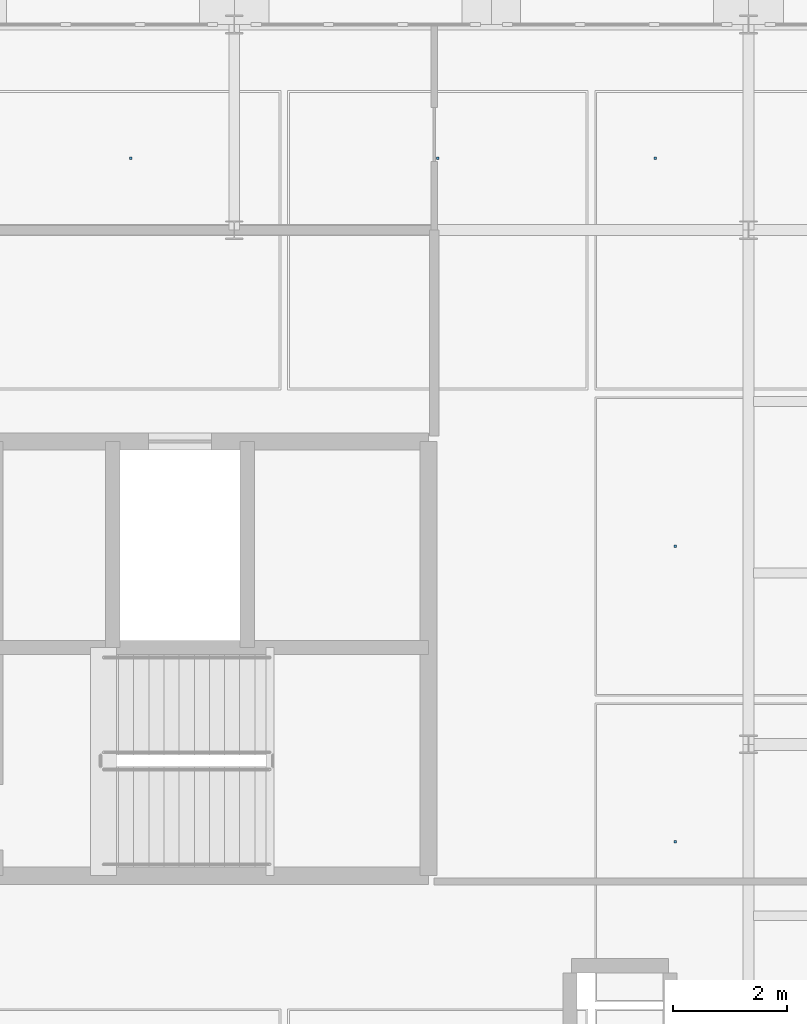
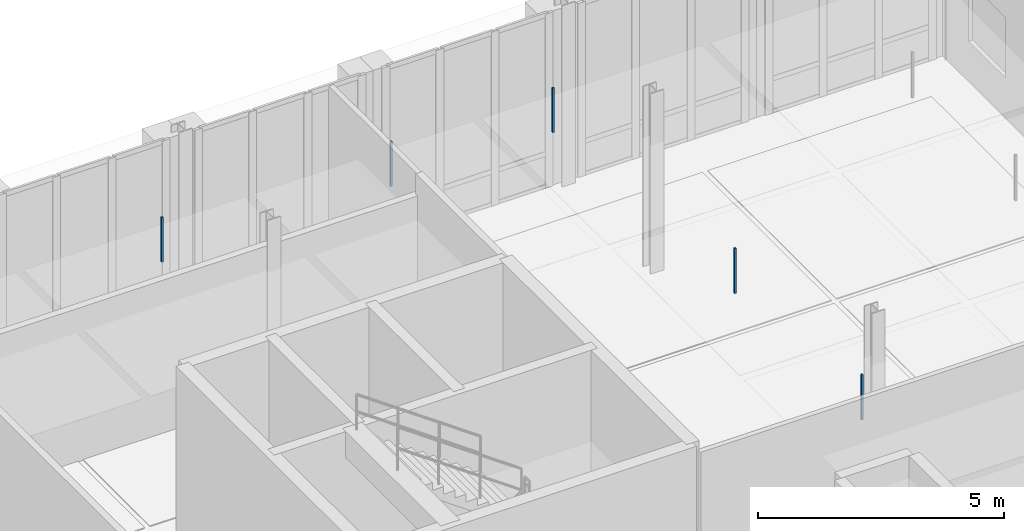
# One storey, part 76 of 89: 5 discrete accessories.
"""IFC4 building model written with IfcOpenShell, lengths in metres."""

import ifcopenshell
import ifcopenshell.guid

model = None  # the IFC model being written
_history = None  # IfcOwnerHistory: only IFC2X3 demands one
_inside = {}  # id of a spatial element -> (the spatial element, [elements in it])
_under = {}  # id of a project, library or spatial element -> (it, [spatial elements below it])
_declared = {}  # id of a project -> (the project, [libraries it declares])
_typed = {}  # id of a type object -> (the type object, [elements of that type])
_made_of = {}  # id of a material, layer set ... -> (it, [elements and type objects made of it])


def new_model(schema):
    """Start an empty IFC model of exactly this schema.

    Asked for "IFC4X3", IfcOpenShell would pick the latest addendum, in which some entities
    have other attributes; the version numbers below select the first issue.
    IFC2X3 requires an IfcOwnerHistory on every rooted entity: one is made here for all.
    """
    global model, _history
    if schema == "IFC4X3":
        model = ifcopenshell.file(schema_version=(4, 3, 0, 0))
    else:
        model = ifcopenshell.file(schema=schema)
    _inside.clear()
    _under.clear()
    _declared.clear()
    _typed.clear()
    _made_of.clear()
    _history = None
    if model.schema == "IFC2X3":
        org = make("IfcOrganization", Name="unknown")
        user = make(
            "IfcPersonAndOrganization",
            ThePerson=make("IfcPerson", FamilyName="unknown"),
            TheOrganization=org,
        )
        app = make(
            "IfcApplication",
            ApplicationDeveloper=org,
            Version="unknown",
            ApplicationFullName="unknown",
            ApplicationIdentifier="unknown",
        )
        _history = make(
            "IfcOwnerHistory",
            OwningUser=user,
            OwningApplication=app,
            ChangeAction="ADDED",
            CreationDate=0,
        )
    return model


def make(cls, **values):
    """One entity of the class cls with the attributes given. An attribute that is None is left unset."""
    return model.create_entity(
        cls, **{name: value for name, value in values.items() if value is not None}
    )


def rooted(cls, **values):
    """An entity with a GlobalId (a new one), such as an element, a storey or a relation."""
    return make(cls, GlobalId=ifcopenshell.guid.new(), OwnerHistory=_history, **values)


def si_unit(unit_type, name, prefix=None):
    """IfcSIUnit, for example si_unit("LENGTHUNIT", "METRE", prefix="MILLI")."""
    return make("IfcSIUnit", UnitType=unit_type, Prefix=prefix, Name=name)


def assignment(units):
    """IfcUnitAssignment: the units of a project."""
    return None if units is None else make("IfcUnitAssignment", Units=units)


def point(xyz):
    """IfcCartesianPoint."""
    return None if xyz is None else make("IfcCartesianPoint", Coordinates=xyz)


def direction(xyz):
    """IfcDirection."""
    return None if xyz is None else make("IfcDirection", DirectionRatios=xyz)


def frame(location, z_axis=None, x_axis=None):
    """IfcAxis2Placement3D, a coordinate frame: its origin and axes. An axis left out is left unset."""
    return make(
        "IfcAxis2Placement3D",
        Location=point(location),
        Axis=direction(z_axis),
        RefDirection=direction(x_axis),
    )


def frame_2d(location, x_axis=None):
    """IfcAxis2Placement2D, a coordinate frame in the plane: its origin and x axis."""
    return make(
        "IfcAxis2Placement2D", Location=point(location), RefDirection=direction(x_axis)
    )


def origin():
    """The frame at (0, 0, 0) with its axes left unset."""
    return frame((0.0, 0.0, 0.0))


def origin_2d():
    """The frame at (0, 0) in the plane with its x axis left unset."""
    return frame_2d((0.0, 0.0))


def place(relative_to, where):
    """IfcLocalPlacement: puts the frame where relative to a parent placement (None: the world)."""
    return make(
        "IfcLocalPlacement", PlacementRelTo=relative_to, RelativePlacement=where
    )


def context(
    kind, dimensions, precision=None, world=None, true_north=None, identifier=None
):
    """IfcGeometricRepresentationContext, for example the 3D "Model" context."""
    return make(
        "IfcGeometricRepresentationContext",
        ContextIdentifier=identifier,
        ContextType=kind,
        CoordinateSpaceDimension=dimensions,
        Precision=precision,
        WorldCoordinateSystem=world,
        TrueNorth=true_north,
    )


def subcontext(parent, identifier, kind, view, scale=None):
    """IfcGeometricRepresentationSubContext, for example "Body" below "Model"."""
    return make(
        "IfcGeometricRepresentationSubContext",
        ContextIdentifier=identifier,
        ContextType=kind,
        ParentContext=parent,
        TargetScale=scale,
        TargetView=view,
    )


def project(units=None, contexts=None):
    """IfcProject with its units and contexts."""
    return rooted(
        "IfcProject",
        Name="project",
        RepresentationContexts=contexts,
        UnitsInContext=assignment(units),
    )


def spatial(cls, under=None, at=None, **own):
    """A site, building, storey or space (cls), placed at a placement, below another one or the project."""
    s = rooted(cls, ObjectPlacement=at, **own)
    if under is not None:
        _under.setdefault(under.id(), (under, []))[1].append(s)
    return s


def profile(cls, at=None, kind="AREA", **sizes):
    """A parametric profile (cls). Its sizes go by their IFC names, for example OverallWidth=200.0."""
    return make(cls, ProfileType=kind, Position=at, **sizes)


def rectangle(**sizes):
    """IfcRectangleProfileDef."""
    return profile("IfcRectangleProfileDef", **sizes)


def extrude(swept, where, along, depth):
    """IfcExtrudedAreaSolid: the profile swept, set in the frame where, extruded along a direction by depth."""
    return make(
        "IfcExtrudedAreaSolid",
        SweptArea=swept,
        Position=where,
        ExtrudedDirection=direction(along),
        Depth=depth,
    )


def shape(context_of_items, identifier, shape_type, items):
    """IfcShapeRepresentation: the items that make up one representation, for example the "Body"."""
    return make(
        "IfcShapeRepresentation",
        ContextOfItems=context_of_items,
        RepresentationIdentifier=identifier,
        RepresentationType=shape_type,
        Items=items,
    )


def material(Name=None, Category=None):
    """IfcMaterial."""
    return make("IfcMaterial", Name=Name, Category=Category)


def made_of(thing, what):
    """Note that an element or type object is made of a material, layer set ...; save() writes the relation."""
    if what is not None:
        _made_of.setdefault(what.id(), (what, []))[1].append(thing)
    return thing


def type_object(cls, material=None, **own):
    """A type object (cls), such as IfcWallType, which elements share."""
    return made_of(rooted(cls, **own), material)


def element(
    cls,
    number,
    at=None,
    inside=None,
    cuts=None,
    type_object=None,
    material=None,
    context=None,
    identifier="Body",
    shape_type=None,
    held_by="IfcProductDefinitionShape",
    body=None,
    shapes=None,
    **own,
):
    """One element of the class cls, such as IfcWall. Its Tag is "e" and its number.

    at: its placement. inside: the storey or other place that contains it. cuts: it is an
    opening in that element (IfcRelVoidsElement). A single representation is given by context,
    identifier, shape_type and body (its items); several are given by shapes. held_by: the class
    of the entity that holds the representations. save() writes the other relations.
    """
    e = rooted(cls, Tag="e%d" % number, ObjectPlacement=at, **own)
    if body is not None:
        shapes = [shape(context, identifier, shape_type, body)]
    if shapes is not None:
        e.Representation = make(held_by, Representations=shapes)
    if inside is not None:
        _inside.setdefault(inside.id(), (inside, []))[1].append(e)
    if cuts is not None:
        rooted(
            "IfcRelVoidsElement", RelatingBuildingElement=cuts, RelatedOpeningElement=e
        )
    if type_object is not None:
        _typed.setdefault(type_object.id(), (type_object, []))[1].append(e)
    return made_of(e, material)


def aggregate(whole, parts):
    """IfcRelAggregates: a whole, such as a stair, and the parts it consists of."""
    return rooted("IfcRelAggregates", RelatingObject=whole, RelatedObjects=parts)


def save(model, path):
    """Write the relations noted so far, then the file.

    IfcRelAggregates (storeys below a building ...), IfcRelContainedInSpatialStructure (elements
    in a storey), IfcRelDefinesByType, IfcRelAssociatesMaterial and IfcRelDeclares: one each for
    every whole, place, type object, material and project.
    """
    for whole, parts in _under.values():
        aggregate(whole, parts)
    for where, things in _inside.values():
        rooted(
            "IfcRelContainedInSpatialStructure",
            RelatedElements=things,
            RelatingStructure=where,
        )
    for kind, things in _typed.values():
        rooted("IfcRelDefinesByType", RelatedObjects=things, RelatingType=kind)
    for what, things in _made_of.values():
        rooted("IfcRelAssociatesMaterial", RelatedObjects=things, RelatingMaterial=what)
    for by, libraries in _declared.values():
        rooted("IfcRelDeclares", RelatingContext=by, RelatedDefinitions=libraries)
    model.write(path)


model = new_model("IFC4")

# Units and contexts
model_context = context("Model", 3, precision=1e-05, world=origin(), true_north=direction((0.0, 1.0)))
body_context = subcontext(model_context, "Body", "Model", "MODEL_VIEW")
ifc_project = project(units=[si_unit("LENGTHUNIT", "METRE"), si_unit("AREAUNIT", "SQUARE_METRE"), si_unit("VOLUMEUNIT", "CUBIC_METRE"), si_unit("PLANEANGLEUNIT", "RADIAN"), si_unit("MASSUNIT", "GRAM", prefix="KILO"), si_unit("THERMODYNAMICTEMPERATUREUNIT", "KELVIN"), si_unit("POWERUNIT", "WATT")], contexts=[model_context])

# Site, building, storey
site_placement = place(None, origin())
site = spatial("IfcSite", under=ifc_project, at=site_placement, CompositionType="ELEMENT")
building_placement = place(site_placement, origin())
building = spatial("IfcBuilding", under=site, at=building_placement, Name="Tallowbark Science Centre", CompositionType="ELEMENT")
storey_placement = place(building_placement, frame((0.0, 0.0, 14.39990234375)))
storey = spatial("IfcBuildingStorey", under=building, at=storey_placement, Name="L03", CompositionType="ELEMENT", Elevation=14.39990234375)

# Discrete accessories
ifc_material = material(Name="Galvanised Steel Grade C350L0 (350 MPa)", Category="steel")
discrete_accessory_type = type_object("IfcDiscreteAccessoryType", Name="ACC-CLG-HNG", PredefinedType="BRACKET", material=ifc_material)
for number, where, z_axis, x_axis, name in (
    (1, (137.6875, 109.2548828125, 3.2060546875), (0.0, 0.0, 1.0), (1.0, 0.0, 0.0), "Ceiling Hanger Bracket L03-1048"),
    (2, (143.0625, 109.2548828125, 3.2060546875), (0.0, 0.0, 1.0), (1.0, 0.0, 0.0), "Ceiling Hanger Bracket L03-1053"),
):
    element("IfcDiscreteAccessory", number, at=place(storey_placement, frame(where, z_axis=z_axis, x_axis=x_axis)), inside=storey, type_object=discrete_accessory_type, Name=name, PredefinedType="BRACKET", context=body_context, shape_type="SweptSolid", body=[
        extrude(rectangle(XDim=0.044921875, YDim=0.044921875, at=origin_2d()), origin(), (0.0, 0.0, 1.0), 1.10693359375),
    ])
for number, where, z_axis, x_axis, name in (
    (3, (147.219970703125, 97.2978515625, 3.2060546875), (0.0, 0.0, 1.0), (1.0, 0.0, 0.0), "Ceiling Hanger Bracket L03-1058"),
    (4, (147.219970703125, 102.46435546875, 3.2060546875), (0.0, 0.0, 1.0), (1.0, 0.0, 0.0), "Ceiling Hanger Bracket L03-1059"),
):
    element("IfcDiscreteAccessory", number, at=place(storey_placement, frame(where, z_axis=z_axis, x_axis=x_axis)), inside=storey, type_object=discrete_accessory_type, Name=name, PredefinedType="BRACKET", context=body_context, shape_type="SweptSolid", body=[
        extrude(rectangle(XDim=0.044921875, YDim=0.044921875, at=origin_2d()), origin(), (0.0, 0.0, 1.0), 1.116943359375),
    ])
discrete_accessory_placement = place(storey_placement, frame((146.8701171875, 109.2548828125, 3.2060546875), z_axis=(0.0, 0.0, 1.0), x_axis=(1.0, 0.0, 0.0)))
element("IfcDiscreteAccessory", 5, at=discrete_accessory_placement, inside=storey, type_object=discrete_accessory_type, Name="Ceiling Hanger Bracket L03-1060", PredefinedType="BRACKET", context=body_context, shape_type="SweptSolid", body=[
    extrude(rectangle(XDim=0.044921875, YDim=0.044921875, at=origin_2d()), origin(), (0.0, 0.0, 1.0), 1.10693359375),
])

save(model, "model.ifc")
